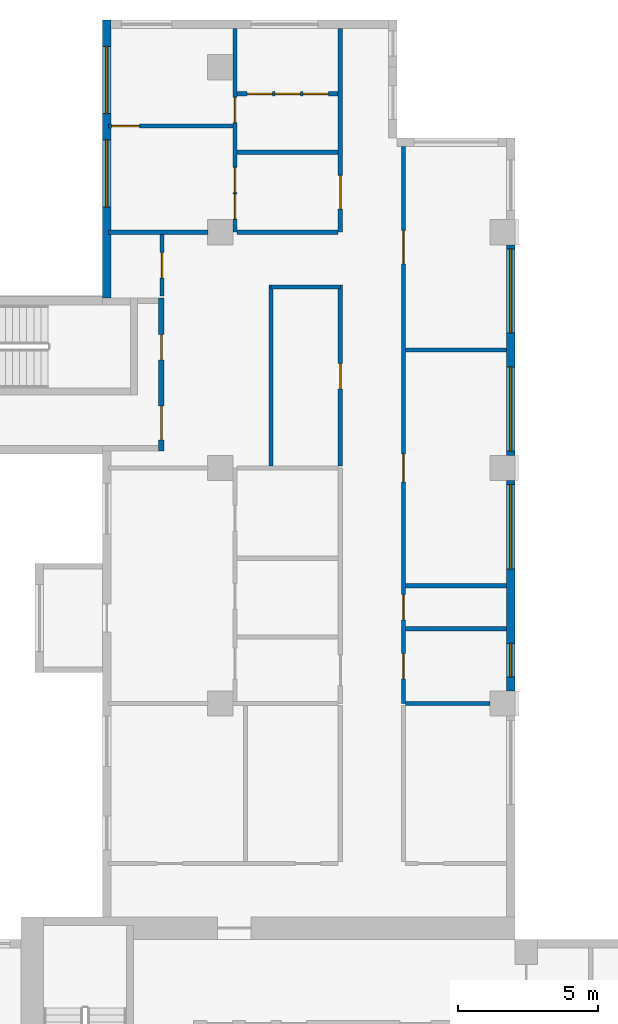
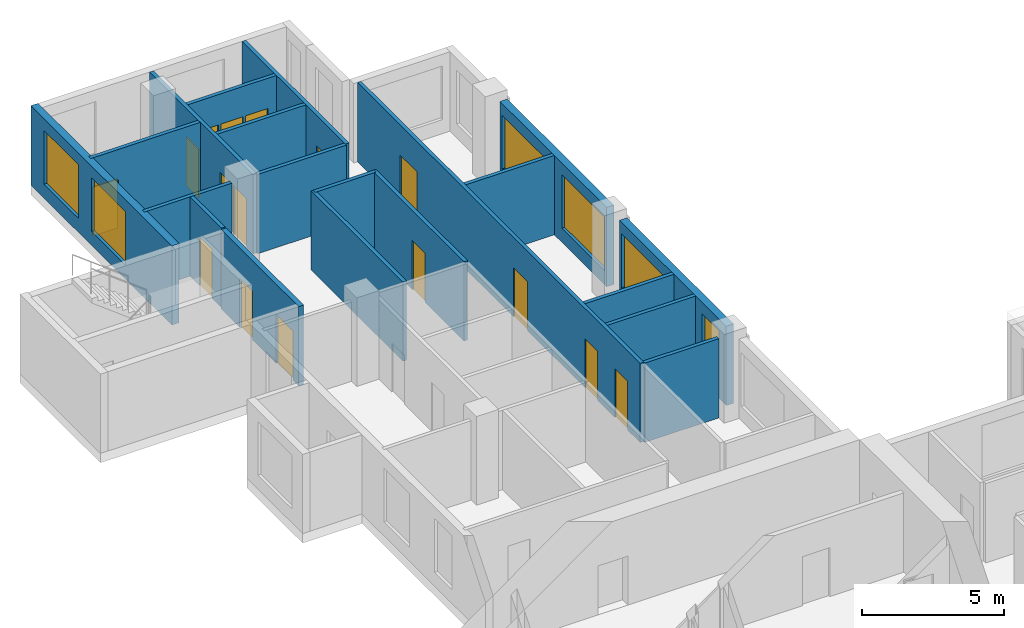
# One storey, part 7 of 12: 20 walls, 16 doors, 6 windows, 22 openings.
"""IFC4 building model written with IfcOpenShell, lengths in metres."""

from ifc_helpers import new_model, si_unit, direction, frame, frame_2d, origin, place, context, subcontext, project, spatial, rectangle, extrude, source, transform, mapped, material, layer, layer_set, type_object, element, fill, save


model = new_model("IFC4")

# Units and contexts
model_context = context("Model", 3, precision=1e-05, world=origin(), true_north=direction((0.0, 1.0)))
body_context = subcontext(model_context, "Body", "Model", "MODEL_VIEW")
ifc_project = project(units=[si_unit("LENGTHUNIT", "METRE"), si_unit("AREAUNIT", "SQUARE_METRE"), si_unit("VOLUMEUNIT", "CUBIC_METRE"), si_unit("PLANEANGLEUNIT", "RADIAN"), si_unit("MASSUNIT", "GRAM", prefix="KILO")], contexts=[model_context])

# Site, building, storey
site_placement = place(None, origin())
site = spatial("IfcSite", under=ifc_project, at=site_placement, CompositionType="ELEMENT")
building_placement = place(site_placement, origin())
building = spatial("IfcBuilding", under=site, at=building_placement, Name="Aurelian Terraces", CompositionType="ELEMENT")
storey_placement = place(building_placement, frame((0.0, 0.0, 196.8)))
storey = spatial("IfcBuildingStorey", under=building, at=storey_placement, Name="L43", CompositionType="ELEMENT", Elevation=196.8)

# Wall, openings, windows
ifc_material_1 = material(Name="Terracotta rainscreen cladding", Category="masonry")
ifc_layer_1 = layer(ifc_material_1, 0.3)
ifc_layer_set_1 = layer_set([ifc_layer_1], Name="EW-300")
wall_type_1 = type_object("IfcWallType", Name="EW-300", PredefinedType="STANDARD", material=ifc_layer_set_1)
shared_shape_1 = source(origin(), body_context, "Body", "SweptSolid", [
    extrude(rectangle(XDim=7.5, YDim=0.3, at=frame_2d((3.75, 0.0))), origin(), (0.0, 0.0, 1.0), 3.4),
])
wall_1_placement = place(storey_placement, frame((20.85, 29.85, 0.0), z_axis=(0.0, 0.0, 1.0), x_axis=(0.0, 1.0, 0.0)))
wall_1 = element("IfcWall", 1, at=wall_1_placement, inside=storey, type_object=wall_type_1, Name="External wall L43 F08.19", PredefinedType="STANDARD", context=body_context, shape_type="MappedRepresentation", body=[
    mapped(shared_shape_1, transform((0.0, 0.0, 0.0), scale=1.0)),
])
shared_shape_2 = source(origin(), body_context, "Body", "SweptSolid", [
    extrude(rectangle(XDim=1.2, YDim=2.3, at=frame_2d((0.6, 1.15))), frame((0.0, 0.16, 0.0), z_axis=(0.0, -1.0, 0.0), x_axis=(1.0, 0.0, 0.0)), (0.0, 0.0, 1.0), 0.32),
])
opening_1_placement = place(wall_1_placement, frame((0.496, 0.0, 0.6)))
opening_1 = element("IfcOpeningElement", 2, at=opening_1_placement, cuts=wall_1, Name="Opening W1223", PredefinedType="OPENING", context=body_context, shape_type="MappedRepresentation", body=[
    mapped(shared_shape_2, transform((0.0, 0.0, 0.0), scale=1.0)),
])
shared_shape_3 = source(origin(), body_context, "Body", "SweptSolid", [
    extrude(rectangle(XDim=3.0, YDim=2.3, at=frame_2d((1.5, 1.15))), frame((0.0, 0.16, 0.0), z_axis=(0.0, -1.0, 0.0), x_axis=(1.0, 0.0, 0.0)), (0.0, 0.0, 1.0), 0.32),
])
opening_2_placement = place(wall_1_placement, frame((4.35, 0.0, 0.6)))
opening_2 = element("IfcOpeningElement", 3, at=opening_2_placement, cuts=wall_1, Name="Opening W3023", PredefinedType="OPENING", context=body_context, shape_type="MappedRepresentation", body=[
    mapped(shared_shape_3, transform((0.0, 0.0, 0.0), scale=1.0)),
])
ifc_material_2 = material(Name="Clear glazing", Category="glass")
window_type_1 = type_object("IfcWindowType", Name="W-3000x2300", PartitioningType="SINGLE_PANEL", PredefinedType="WINDOW", material=ifc_material_2)
shared_shape_4 = source(origin(), body_context, "Body", "SweptSolid", [
    extrude(rectangle(XDim=3.0, YDim=2.3, at=frame_2d((1.5, 1.15))), frame((0.0, 0.03, 0.0), z_axis=(0.0, -1.0, 0.0), x_axis=(1.0, 0.0, 0.0)), (0.0, 0.0, 1.0), 0.06),
])
window_1_placement = place(opening_2_placement, origin())
window_1 = element("IfcWindow", 4, at=window_1_placement, inside=storey, type_object=window_type_1, Name="Window L43 L43-F08-19-1", OverallHeight=2.3, OverallWidth=3.0, PartitioningType="SINGLE_PANEL", PredefinedType="WINDOW", context=body_context, shape_type="MappedRepresentation", body=[
    mapped(shared_shape_4, transform((0.0, 0.0, 0.0), scale=1.0)),
])
fill(opening_2, window_1)
window_type_2 = type_object("IfcWindowType", Name="W-1200x2300", PartitioningType="SINGLE_PANEL", PredefinedType="WINDOW", material=ifc_material_2)
shared_shape_5 = source(origin(), body_context, "Body", "SweptSolid", [
    extrude(rectangle(XDim=1.2, YDim=2.3, at=frame_2d((0.6, 1.15))), frame((0.0, 0.03, 0.0), z_axis=(0.0, -1.0, 0.0), x_axis=(1.0, 0.0, 0.0)), (0.0, 0.0, 1.0), 0.06),
])
window_2_placement = place(opening_1_placement, origin())
window_2 = element("IfcWindow", 5, at=window_2_placement, inside=storey, type_object=window_type_2, Name="Window L43 L43-F08-19-0", OverallHeight=2.3, OverallWidth=1.2, PartitioningType="SINGLE_PANEL", PredefinedType="WINDOW", context=body_context, shape_type="MappedRepresentation", body=[
    mapped(shared_shape_5, transform((0.0, 0.0, 0.0), scale=1.0)),
])
fill(opening_1, window_2)

wall_2_placement = place(storey_placement, frame((20.85, 38.25, 0.0), z_axis=(0.0, 0.0, 1.0), x_axis=(0.0, 1.0, 0.0)))
wall_2 = element("IfcWall", 6, at=wall_2_placement, inside=storey, type_object=wall_type_1, Name="External wall L43 F08.20", PredefinedType="STANDARD", context=body_context, shape_type="MappedRepresentation", body=[
    mapped(shared_shape_1, transform((0.0, 0.0, 0.0), scale=1.0)),
])
opening_3_placement = place(wall_2_placement, frame((0.15, 0.0, 0.6)))
opening_3 = element("IfcOpeningElement", 7, at=opening_3_placement, cuts=wall_2, Name="Opening W3023", PredefinedType="OPENING", context=body_context, shape_type="MappedRepresentation", body=[
    mapped(shared_shape_3, transform((0.0, 0.0, 0.0), scale=1.0)),
])
opening_4_placement = place(wall_2_placement, frame((4.35, 0.0, 0.6)))
opening_4 = element("IfcOpeningElement", 8, at=opening_4_placement, cuts=wall_2, Name="Opening W3023", PredefinedType="OPENING", context=body_context, shape_type="MappedRepresentation", body=[
    mapped(shared_shape_3, transform((0.0, 0.0, 0.0), scale=1.0)),
])
window_3_placement = place(opening_3_placement, origin())
window_3 = element("IfcWindow", 9, at=window_3_placement, inside=storey, type_object=window_type_1, Name="Window L43 L43-F08-20-0", OverallHeight=2.3, OverallWidth=3.0, PartitioningType="SINGLE_PANEL", PredefinedType="WINDOW", context=body_context, shape_type="MappedRepresentation", body=[
    mapped(shared_shape_4, transform((0.0, 0.0, 0.0), scale=1.0)),
])
fill(opening_3, window_3)
window_4_placement = place(opening_4_placement, origin())
window_4 = element("IfcWindow", 10, at=window_4_placement, inside=storey, type_object=window_type_1, Name="Window L43 L43-F08-20-1", OverallHeight=2.3, OverallWidth=3.0, PartitioningType="SINGLE_PANEL", PredefinedType="WINDOW", context=body_context, shape_type="MappedRepresentation", body=[
    mapped(shared_shape_4, transform((0.0, 0.0, 0.0), scale=1.0)),
])
fill(opening_4, window_4)

shared_shape_6 = source(origin(), body_context, "Body", "SweptSolid", [
    extrude(rectangle(XDim=9.91, YDim=0.3, at=frame_2d((4.955, 0.0))), origin(), (0.0, 0.0, 1.0), 3.4),
])
wall_3_placement = place(storey_placement, frame((6.45, 53.76, 0.0), z_axis=(0.0, 0.0, 1.0), x_axis=(0.0, -1.0, 0.0)))
wall_3 = element("IfcWall", 11, at=wall_3_placement, inside=storey, type_object=wall_type_1, Name="External wall L43 F12.26", PredefinedType="STANDARD", context=body_context, shape_type="MappedRepresentation", body=[
    mapped(shared_shape_6, transform((0.0, 0.0, 0.0), scale=1.0)),
])
shared_shape_7 = source(origin(), body_context, "Body", "SweptSolid", [
    extrude(rectangle(XDim=2.4, YDim=2.3, at=frame_2d((1.2, 1.15))), frame((0.0, 0.16, 0.0), z_axis=(0.0, -1.0, 0.0), x_axis=(1.0, 0.0, 0.0)), (0.0, 0.0, 1.0), 0.32),
])
opening_5_placement = place(wall_3_placement, frame((4.2725, 0.0, 0.6)))
opening_5 = element("IfcOpeningElement", 12, at=opening_5_placement, cuts=wall_3, Name="Opening W2423", PredefinedType="OPENING", context=body_context, shape_type="MappedRepresentation", body=[
    mapped(shared_shape_7, transform((0.0, 0.0, 0.0), scale=1.0)),
])
opening_6_placement = place(wall_3_placement, frame((0.9363, 0.0, 0.6)))
opening_6 = element("IfcOpeningElement", 13, at=opening_6_placement, cuts=wall_3, Name="Opening W2423", PredefinedType="OPENING", context=body_context, shape_type="MappedRepresentation", body=[
    mapped(shared_shape_7, transform((0.0, 0.0, 0.0), scale=1.0)),
])
window_type_3 = type_object("IfcWindowType", Name="W-2400x2300", PartitioningType="SINGLE_PANEL", PredefinedType="WINDOW", material=ifc_material_2)
shared_shape_8 = source(origin(), body_context, "Body", "SweptSolid", [
    extrude(rectangle(XDim=2.4, YDim=2.3, at=frame_2d((1.2, 1.15))), frame((0.0, 0.03, 0.0), z_axis=(0.0, -1.0, 0.0), x_axis=(1.0, 0.0, 0.0)), (0.0, 0.0, 1.0), 0.06),
])
window_5_placement = place(opening_5_placement, origin())
window_5 = element("IfcWindow", 14, at=window_5_placement, inside=storey, type_object=window_type_3, Name="Window L43 L43-F12-26-1", OverallHeight=2.3, OverallWidth=2.4, PartitioningType="SINGLE_PANEL", PredefinedType="WINDOW", context=body_context, shape_type="MappedRepresentation", body=[
    mapped(shared_shape_8, transform((0.0, 0.0, 0.0), scale=1.0)),
])
fill(opening_5, window_5)
window_6_placement = place(opening_6_placement, origin())
window_6 = element("IfcWindow", 15, at=window_6_placement, inside=storey, type_object=window_type_3, Name="Window L43 L43-F12-26-G0-0", OverallHeight=2.3, OverallWidth=2.4, PartitioningType="SINGLE_PANEL", PredefinedType="WINDOW", context=body_context, shape_type="MappedRepresentation", body=[
    mapped(shared_shape_8, transform((0.0, 0.0, 0.0), scale=1.0)),
])
fill(opening_6, window_6)

# Wall, openings, doors
ifc_material_3 = material(Name="Gypsum board on steel studs", Category="steel")
ifc_layer_2 = layer(ifc_material_3, 0.2)
ifc_layer_set_2 = layer_set([ifc_layer_2], Name="Core partition 200")
wall_type_2 = type_object("IfcWallType", Name="Core partition 200", PredefinedType="PARTITIONING", material=ifc_layer_set_2)
shared_shape_9 = source(origin(), body_context, "Body", "SweptSolid", [
    extrude(rectangle(XDim=5.45, YDim=0.2, at=frame_2d((2.725, 0.0))), origin(), (0.0, 0.0, 1.0), 3.4),
])
wall_4_placement = place(storey_placement, frame((8.4, 38.4, 0.0), z_axis=(0.0, 0.0, 1.0), x_axis=(0.0, 1.0, 0.0)))
wall_4 = element("IfcWall", 16, at=wall_4_placement, inside=storey, type_object=wall_type_2, Name="L43 core wall ST-S3-BN", PredefinedType="PARTITIONING", context=body_context, shape_type="MappedRepresentation", body=[
    mapped(shared_shape_9, transform((0.0, 0.0, 0.0), scale=1.0)),
])
shared_shape_10 = source(origin(), body_context, "Body", "SweptSolid", [
    extrude(rectangle(XDim=1.2, YDim=2.1, at=frame_2d((0.6, 1.05))), frame((0.0, 0.11, 0.0), z_axis=(0.0, -1.0, 0.0), x_axis=(1.0, 0.0, 0.0)), (0.0, 0.0, 1.0), 0.22),
])
opening_7_placement = place(wall_4_placement, frame((0.4, 0.0, 0.0)))
opening_7 = element("IfcOpeningElement", 17, at=opening_7_placement, cuts=wall_4, Name="Opening 64621", PredefinedType="OPENING", context=body_context, shape_type="MappedRepresentation", body=[
    mapped(shared_shape_10, transform((0.0, 0.0, 0.0), scale=1.0)),
])
shared_shape_11 = source(origin(), body_context, "Body", "SweptSolid", [
    extrude(rectangle(XDim=0.9, YDim=2.1, at=frame_2d((0.45, 1.05))), frame((0.0, 0.11, 0.0), z_axis=(0.0, -1.0, 0.0), x_axis=(1.0, 0.0, 0.0)), (0.0, 0.0, 1.0), 0.22),
])
opening_8_placement = place(wall_4_placement, frame((3.25, 0.0, 0.0)))
opening_8 = element("IfcOpeningElement", 18, at=opening_8_placement, cuts=wall_4, Name="Opening 64622", PredefinedType="OPENING", context=body_context, shape_type="MappedRepresentation", body=[
    mapped(shared_shape_11, transform((0.0, 0.0, 0.0), scale=1.0)),
])
ifc_material_4 = material(Name="Steel door leaf", Category="steel")
door_type_1 = type_object("IfcDoorType", Name="Core riser door 900x2100", OperationType="SINGLE_SWING_LEFT", PredefinedType="DOOR", material=ifc_material_4)
shared_shape_12 = source(origin(), body_context, "Body", "SweptSolid", [
    extrude(rectangle(XDim=0.9, YDim=2.1, at=frame_2d((0.45, 1.05))), frame((0.0, 0.025, 0.0), z_axis=(0.0, -1.0, 0.0), x_axis=(1.0, 0.0, 0.0)), (0.0, 0.0, 1.0), 0.05),
])
door_1_placement = place(opening_8_placement, origin())
door_1 = element("IfcDoor", 19, at=door_1_placement, inside=storey, type_object=door_type_1, Name="Riser door 64622", OperationType="SINGLE_SWING_LEFT", OverallHeight=2.1, OverallWidth=0.9, PredefinedType="DOOR", context=body_context, shape_type="MappedRepresentation", body=[
    mapped(shared_shape_12, transform((0.0, 0.0, 0.0), scale=1.0)),
])
fill(opening_8, door_1)
door_type_2 = type_object("IfcDoorType", Name="Core fire door 1200x2100 right", OperationType="SINGLE_SWING_RIGHT", PredefinedType="DOOR", material=ifc_material_4)
shared_shape_13 = source(origin(), body_context, "Body", "SweptSolid", [
    extrude(rectangle(XDim=1.2, YDim=2.1, at=frame_2d((0.6, 1.05))), frame((0.0, 0.025, 0.0), z_axis=(0.0, -1.0, 0.0), x_axis=(1.0, 0.0, 0.0)), (0.0, 0.0, 1.0), 0.05),
])
door_2_placement = place(opening_7_placement, origin())
door_2 = element("IfcDoor", 20, at=door_2_placement, inside=storey, type_object=door_type_2, Name="Vestibule door 64621", OperationType="SINGLE_SWING_RIGHT", OverallHeight=2.1, OverallWidth=1.2, PredefinedType="DOOR", context=body_context, shape_type="MappedRepresentation", body=[
    mapped(shared_shape_13, transform((0.0, 0.0, 0.0), scale=1.0)),
])
fill(opening_7, door_2)

# Wall
ifc_layer_3 = layer(ifc_material_3, 0.15)
ifc_layer_set_3 = layer_set([ifc_layer_3], Name="Partition 150")
wall_type_3 = type_object("IfcWallType", Name="Partition 150", PredefinedType="PARTITIONING", material=ifc_layer_set_3)
shared_shape_14 = source(origin(), body_context, "Body", "SweptSolid", [
    extrude(rectangle(XDim=6.45, YDim=0.15, at=frame_2d((3.225, 0.0))), origin(), (0.0, 0.0, 1.0), 3.4),
])
wall_5_placement = place(storey_placement, frame((12.3, 44.325, 0.0), z_axis=(0.0, 0.0, 1.0), x_axis=(0.0, -1.0, 0.0)))
element("IfcWall", 21, at=wall_5_placement, inside=storey, type_object=wall_type_3, Name="Partition", PredefinedType="PARTITIONING", context=body_context, shape_type="MappedRepresentation", body=[
    mapped(shared_shape_14, transform((0.0, 0.0, 0.0), scale=1.0)),
])

# Wall, opening, door
ifc_layer_4 = layer(ifc_material_3, 0.15)
ifc_layer_set_4 = layer_set([ifc_layer_4], Name="Fire partition 150")
wall_type_4 = type_object("IfcWallType", Name="Fire partition 150", PredefinedType="PARTITIONING", material=ifc_layer_set_4)
wall_6_placement = place(storey_placement, frame((14.775, 37.875, 0.0), z_axis=(0.0, 0.0, 1.0), x_axis=(0.0, 1.0, 0.0)))
wall_6 = element("IfcWall", 22, at=wall_6_placement, inside=storey, type_object=wall_type_4, Name="Corridor wall", PredefinedType="PARTITIONING", context=body_context, shape_type="MappedRepresentation", body=[
    mapped(shared_shape_14, transform((0.0, 0.0, 0.0), scale=1.0)),
])
shared_shape_15 = source(origin(), body_context, "Body", "SweptSolid", [
    extrude(rectangle(XDim=0.9, YDim=2.1, at=frame_2d((0.45, 1.05))), frame((0.0, 0.085, 0.0), z_axis=(0.0, -1.0, 0.0), x_axis=(1.0, 0.0, 0.0)), (0.0, 0.0, 1.0), 0.17),
])
opening_9_placement = place(wall_6_placement, frame((2.7375, 0.0, 0.0)))
opening_9 = element("IfcOpeningElement", 23, at=opening_9_placement, cuts=wall_6, Name="Opening 743022", PredefinedType="OPENING", context=body_context, shape_type="MappedRepresentation", body=[
    mapped(shared_shape_15, transform((0.0, 0.0, 0.0), scale=1.0)),
])
ifc_material_5 = material(Name="Timber door leaf", Category="wood")
door_type_3 = type_object("IfcDoorType", Name="Room door 900x2100 left", OperationType="SINGLE_SWING_LEFT", PredefinedType="DOOR", material=ifc_material_5)
door_3_placement = place(opening_9_placement, origin())
door_3 = element("IfcDoor", 24, at=door_3_placement, inside=storey, type_object=door_type_3, Name="Door 743022", OperationType="SINGLE_SWING_LEFT", OverallHeight=2.1, OverallWidth=0.9, PredefinedType="DOOR", context=body_context, shape_type="MappedRepresentation", body=[
    mapped(shared_shape_12, transform((0.0, 0.0, 0.0), scale=1.0)),
])
fill(opening_9, door_3)

# Wall
shared_shape_16 = source(origin(), body_context, "Body", "SweptSolid", [
    extrude(rectangle(XDim=3.6, YDim=0.15, at=frame_2d((1.8, 0.0))), origin(), (0.0, 0.0, 1.0), 3.4),
])
wall_7_placement = place(storey_placement, frame((14.7, 49.0491, 0.0), z_axis=(0.0, 0.0, 1.0), x_axis=(-1.0, 0.0, 0.0)))
element("IfcWall", 25, at=wall_7_placement, inside=storey, type_object=wall_type_3, Name="Partition", PredefinedType="PARTITIONING", context=body_context, shape_type="MappedRepresentation", body=[
    mapped(shared_shape_16, transform((0.0, 0.0, 0.0), scale=1.0)),
])

# Wall, openings, doors
wall_8_placement = place(storey_placement, frame((14.7, 51.1297, 0.0), z_axis=(0.0, 0.0, 1.0), x_axis=(-1.0, 0.0, 0.0)))
wall_8 = element("IfcWall", 26, at=wall_8_placement, inside=storey, type_object=wall_type_3, Name="Partition", PredefinedType="PARTITIONING", context=body_context, shape_type="MappedRepresentation", body=[
    mapped(shared_shape_16, transform((0.0, 0.0, 0.0), scale=1.0)),
])
opening_10_placement = place(wall_8_placement, frame((1.35, 0.0, 0.0)))
opening_10 = element("IfcOpeningElement", 27, at=opening_10_placement, cuts=wall_8, Name="Opening 743038", PredefinedType="OPENING", context=body_context, shape_type="MappedRepresentation", body=[
    mapped(shared_shape_15, transform((0.0, 0.0, 0.0), scale=1.0)),
])
opening_11_placement = place(wall_8_placement, frame((0.35, 0.0, 0.0)))
opening_11 = element("IfcOpeningElement", 28, at=opening_11_placement, cuts=wall_8, Name="Opening 743039", PredefinedType="OPENING", context=body_context, shape_type="MappedRepresentation", body=[
    mapped(shared_shape_15, transform((0.0, 0.0, 0.0), scale=1.0)),
])
opening_12_placement = place(wall_8_placement, frame((2.35, 0.0, 0.0)))
opening_12 = element("IfcOpeningElement", 29, at=opening_12_placement, cuts=wall_8, Name="Opening 743040", PredefinedType="OPENING", context=body_context, shape_type="MappedRepresentation", body=[
    mapped(shared_shape_15, transform((0.0, 0.0, 0.0), scale=1.0)),
])
door_4_placement = place(opening_10_placement, origin())
door_4 = element("IfcDoor", 30, at=door_4_placement, inside=storey, type_object=door_type_3, Name="Door 743038", OperationType="SINGLE_SWING_LEFT", OverallHeight=2.1, OverallWidth=0.9, PredefinedType="DOOR", context=body_context, shape_type="MappedRepresentation", body=[
    mapped(shared_shape_12, transform((0.0, 0.0, 0.0), scale=1.0)),
])
fill(opening_10, door_4)
door_type_4 = type_object("IfcDoorType", Name="Entrance fire door 900x2100 left", OperationType="SINGLE_SWING_LEFT", PredefinedType="DOOR", material=ifc_material_4)
door_5_placement = place(opening_11_placement, origin())
door_5 = element("IfcDoor", 31, at=door_5_placement, inside=storey, type_object=door_type_4, Name="Door 743039", OperationType="SINGLE_SWING_LEFT", OverallHeight=2.1, OverallWidth=0.9, PredefinedType="DOOR", context=body_context, shape_type="MappedRepresentation", body=[
    mapped(shared_shape_12, transform((0.0, 0.0, 0.0), scale=1.0)),
])
fill(opening_11, door_5)
door_6_placement = place(opening_12_placement, origin())
door_6 = element("IfcDoor", 32, at=door_6_placement, inside=storey, type_object=door_type_4, Name="Door 743040", OperationType="SINGLE_SWING_LEFT", OverallHeight=2.1, OverallWidth=0.9, PredefinedType="DOOR", context=body_context, shape_type="MappedRepresentation", body=[
    mapped(shared_shape_12, transform((0.0, 0.0, 0.0), scale=1.0)),
])
fill(opening_12, door_6)

# Walls
wall_9_placement = place(storey_placement, frame((14.7, 46.2, 0.0), z_axis=(0.0, 0.0, 1.0), x_axis=(-1.0, 0.0, 0.0)))
element("IfcWall", 33, at=wall_9_placement, inside=storey, type_object=wall_type_4, Name="Party wall", PredefinedType="PARTITIONING", context=body_context, shape_type="MappedRepresentation", body=[
    mapped(shared_shape_16, transform((0.0, 0.0, 0.0), scale=1.0)),
])
wall_10_placement = place(storey_placement, frame((17.1, 32.067, 0.0), z_axis=(0.0, 0.0, 1.0), x_axis=(1.0, 0.0, 0.0)))
element("IfcWall", 34, at=wall_10_placement, inside=storey, type_object=wall_type_3, Name="Partition", PredefinedType="PARTITIONING", context=body_context, shape_type="MappedRepresentation", body=[
    mapped(shared_shape_16, transform((0.0, 0.0, 0.0), scale=1.0)),
])
for number, where, z_axis, x_axis, name in (
    (35, (20.7, 33.6, 0.0), (0.0, 0.0, 1.0), (-1.0, 0.0, 0.0), "Party wall"),
    (36, (20.7, 42.0, 0.0), (0.0, 0.0, 1.0), (-1.0, 0.0, 0.0), "Party wall"),
):
    element("IfcWall", number, at=place(storey_placement, frame(where, z_axis=z_axis, x_axis=x_axis)), inside=storey, type_object=wall_type_4, Name=name, PredefinedType="PARTITIONING", context=body_context, shape_type="MappedRepresentation", body=[
        mapped(shared_shape_16, transform((0.0, 0.0, 0.0), scale=1.0)),
    ])
shared_shape_17 = source(origin(), body_context, "Body", "SweptSolid", [
    extrude(rectangle(XDim=3.001, YDim=0.15, at=frame_2d((1.5005, 0.0))), origin(), (0.0, 0.0, 1.0), 3.4),
])
wall_11_placement = place(storey_placement, frame((20.101, 29.4, 0.0), z_axis=(0.0, 0.0, 1.0), x_axis=(-1.0, 0.0, 0.0)))
element("IfcWall", 37, at=wall_11_placement, inside=storey, type_object=wall_type_3, Name="Partition", PredefinedType="PARTITIONING", context=body_context, shape_type="MappedRepresentation", body=[
    mapped(shared_shape_17, transform((0.0, 0.0, 0.0), scale=1.0)),
])

# Wall, opening, door
shared_shape_18 = source(origin(), body_context, "Body", "SweptSolid", [
    extrude(rectangle(XDim=2.2, YDim=0.15, at=frame_2d((1.1, 0.0))), origin(), (0.0, 0.0, 1.0), 3.4),
])
wall_12_placement = place(storey_placement, frame((8.425, 43.925, 0.0), z_axis=(0.0, 0.0, 1.0), x_axis=(0.0, 1.0, 0.0)))
wall_12 = element("IfcWall", 38, at=wall_12_placement, inside=storey, type_object=wall_type_3, Name="Partition", PredefinedType="PARTITIONING", context=body_context, shape_type="MappedRepresentation", body=[
    mapped(shared_shape_18, transform((0.0, 0.0, 0.0), scale=1.0)),
])
opening_13_placement = place(wall_12_placement, frame((0.65, 0.0, 0.0)))
opening_13 = element("IfcOpeningElement", 39, at=opening_13_placement, cuts=wall_12, Name="Opening 743023", PredefinedType="OPENING", context=body_context, shape_type="MappedRepresentation", body=[
    mapped(shared_shape_15, transform((0.0, 0.0, 0.0), scale=1.0)),
])
door_7_placement = place(opening_13_placement, origin())
door_7 = element("IfcDoor", 40, at=door_7_placement, inside=storey, type_object=door_type_3, Name="Door 743023", OperationType="SINGLE_SWING_LEFT", OverallHeight=2.1, OverallWidth=0.9, PredefinedType="DOOR", context=body_context, shape_type="MappedRepresentation", body=[
    mapped(shared_shape_12, transform((0.0, 0.0, 0.0), scale=1.0)),
])
fill(opening_13, door_7)

# Wall
shared_shape_19 = source(origin(), body_context, "Body", "SweptSolid", [
    extrude(rectangle(XDim=3.546, YDim=0.15, at=frame_2d((1.773, 0.0))), origin(), (0.0, 0.0, 1.0), 3.4),
])
wall_13_placement = place(storey_placement, frame((10.051, 46.2, 0.0), z_axis=(0.0, 0.0, 1.0), x_axis=(-1.0, 0.0, 0.0)))
element("IfcWall", 41, at=wall_13_placement, inside=storey, type_object=wall_type_4, Name="Party wall", PredefinedType="PARTITIONING", context=body_context, shape_type="MappedRepresentation", body=[
    mapped(shared_shape_19, transform((0.0, 0.0, 0.0), scale=1.0)),
])

# Wall, openings, doors
shared_shape_20 = source(origin(), body_context, "Body", "SweptSolid", [
    extrude(rectangle(XDim=7.26, YDim=0.15, at=frame_2d((3.63, 0.0))), origin(), (0.0, 0.0, 1.0), 3.4),
])
wall_14_placement = place(storey_placement, frame((11.025, 46.2, 0.0), z_axis=(0.0, 0.0, 1.0), x_axis=(0.0, 1.0, 0.0)))
wall_14 = element("IfcWall", 42, at=wall_14_placement, inside=storey, type_object=wall_type_3, Name="Partition", PredefinedType="PARTITIONING", context=body_context, shape_type="MappedRepresentation", body=[
    mapped(shared_shape_20, transform((0.0, 0.0, 0.0), scale=1.0)),
])
opening_14_placement = place(wall_14_placement, frame((1.412, 0.0, 0.0)))
opening_14 = element("IfcOpeningElement", 43, at=opening_14_placement, cuts=wall_14, Name="Opening 743029", PredefinedType="OPENING", context=body_context, shape_type="MappedRepresentation", body=[
    mapped(shared_shape_15, transform((0.0, 0.0, 0.0), scale=1.0)),
])
opening_15_placement = place(wall_14_placement, frame((0.46, 0.0, 0.0)))
opening_15 = element("IfcOpeningElement", 44, at=opening_15_placement, cuts=wall_14, Name="Opening 743030", PredefinedType="OPENING", context=body_context, shape_type="MappedRepresentation", body=[
    mapped(shared_shape_15, transform((0.0, 0.0, 0.0), scale=1.0)),
])
opening_16_placement = place(wall_14_placement, frame((3.901, 0.0, 0.0)))
opening_16 = element("IfcOpeningElement", 45, at=opening_16_placement, cuts=wall_14, Name="Opening 743032", PredefinedType="OPENING", context=body_context, shape_type="MappedRepresentation", body=[
    mapped(shared_shape_15, transform((0.0, 0.0, 0.0), scale=1.0)),
])
door_8_placement = place(opening_14_placement, origin())
door_8 = element("IfcDoor", 46, at=door_8_placement, inside=storey, type_object=door_type_3, Name="Door 743029", OperationType="SINGLE_SWING_LEFT", OverallHeight=2.1, OverallWidth=0.9, PredefinedType="DOOR", context=body_context, shape_type="MappedRepresentation", body=[
    mapped(shared_shape_12, transform((0.0, 0.0, 0.0), scale=1.0)),
])
fill(opening_14, door_8)
door_type_5 = type_object("IfcDoorType", Name="Room door 900x2100 right", OperationType="SINGLE_SWING_RIGHT", PredefinedType="DOOR", material=ifc_material_5)
door_9_placement = place(opening_15_placement, origin())
door_9 = element("IfcDoor", 47, at=door_9_placement, inside=storey, type_object=door_type_5, Name="Door 743030", OperationType="SINGLE_SWING_RIGHT", OverallHeight=2.1, OverallWidth=0.9, PredefinedType="DOOR", context=body_context, shape_type="MappedRepresentation", body=[
    mapped(shared_shape_12, transform((0.0, 0.0, 0.0), scale=1.0)),
])
fill(opening_15, door_9)
door_10_placement = place(opening_16_placement, origin())
door_10 = element("IfcDoor", 48, at=door_10_placement, inside=storey, type_object=door_type_5, Name="Door 743032", OperationType="SINGLE_SWING_RIGHT", OverallHeight=2.1, OverallWidth=0.9, PredefinedType="DOOR", context=body_context, shape_type="MappedRepresentation", body=[
    mapped(shared_shape_12, transform((0.0, 0.0, 0.0), scale=1.0)),
])
fill(opening_16, door_10)

# Wall, opening, door
wall_15_placement = place(storey_placement, frame((14.775, 46.2, 0.0), z_axis=(0.0, 0.0, 1.0), x_axis=(0.0, 1.0, 0.0)))
wall_15 = element("IfcWall", 49, at=wall_15_placement, inside=storey, type_object=wall_type_4, Name="Corridor wall", PredefinedType="PARTITIONING", context=body_context, shape_type="MappedRepresentation", body=[
    mapped(shared_shape_20, transform((0.0, 0.0, 0.0), scale=1.0)),
])
shared_shape_21 = source(origin(), body_context, "Body", "SweptSolid", [
    extrude(rectangle(XDim=1.2, YDim=2.1, at=frame_2d((0.6, 1.05))), frame((0.0, 0.085, 0.0), z_axis=(0.0, -1.0, 0.0), x_axis=(1.0, 0.0, 0.0)), (0.0, 0.0, 1.0), 0.17),
])
opening_17_placement = place(wall_15_placement, frame((0.8246, 0.0, 0.0)))
opening_17 = element("IfcOpeningElement", 50, at=opening_17_placement, cuts=wall_15, Name="Opening 743028", PredefinedType="OPENING", context=body_context, shape_type="MappedRepresentation", body=[
    mapped(shared_shape_21, transform((0.0, 0.0, 0.0), scale=1.0)),
])
door_type_6 = type_object("IfcDoorType", Name="Entrance fire door 1200x2100 right", OperationType="SINGLE_SWING_RIGHT", PredefinedType="DOOR", material=ifc_material_4)
door_11_placement = place(opening_17_placement, origin())
door_11 = element("IfcDoor", 51, at=door_11_placement, inside=storey, type_object=door_type_6, Name="Door 743028", OperationType="SINGLE_SWING_RIGHT", OverallHeight=2.1, OverallWidth=1.2, PredefinedType="DOOR", context=body_context, shape_type="MappedRepresentation", body=[
    mapped(shared_shape_13, transform((0.0, 0.0, 0.0), scale=1.0)),
])
fill(opening_17, door_11)

shared_shape_22 = source(origin(), body_context, "Body", "SweptSolid", [
    extrude(rectangle(XDim=4.445, YDim=0.15, at=frame_2d((2.2225, 0.0))), origin(), (0.0, 0.0, 1.0), 3.4),
])
wall_16_placement = place(storey_placement, frame((10.95, 49.98, 0.0), z_axis=(0.0, 0.0, 1.0), x_axis=(-1.0, 0.0, 0.0)))
wall_16 = element("IfcWall", 52, at=wall_16_placement, inside=storey, type_object=wall_type_3, Name="Partition", PredefinedType="PARTITIONING", context=body_context, shape_type="MappedRepresentation", body=[
    mapped(shared_shape_22, transform((0.0, 0.0, 0.0), scale=1.0)),
])
shared_shape_23 = source(origin(), body_context, "Body", "SweptSolid", [
    extrude(rectangle(XDim=1.0, YDim=2.1, at=frame_2d((0.5, 1.05))), frame((0.0, 0.085, 0.0), z_axis=(0.0, -1.0, 0.0), x_axis=(1.0, 0.0, 0.0)), (0.0, 0.0, 1.0), 0.17),
])
opening_18_placement = place(wall_16_placement, frame((3.325, 0.0, 0.0)))
opening_18 = element("IfcOpeningElement", 53, at=opening_18_placement, cuts=wall_16, Name="Opening 743031", PredefinedType="OPENING", context=body_context, shape_type="MappedRepresentation", body=[
    mapped(shared_shape_23, transform((0.0, 0.0, 0.0), scale=1.0)),
])
door_type_7 = type_object("IfcDoorType", Name="Room door 1000x2100 left", OperationType="SINGLE_SWING_LEFT", PredefinedType="DOOR", material=ifc_material_5)
shared_shape_24 = source(origin(), body_context, "Body", "SweptSolid", [
    extrude(rectangle(XDim=1.0, YDim=2.1, at=frame_2d((0.5, 1.05))), frame((0.0, 0.025, 0.0), z_axis=(0.0, -1.0, 0.0), x_axis=(1.0, 0.0, 0.0)), (0.0, 0.0, 1.0), 0.05),
])
door_12_placement = place(opening_18_placement, origin())
door_12 = element("IfcDoor", 54, at=door_12_placement, inside=storey, type_object=door_type_7, Name="Door 743031", OperationType="SINGLE_SWING_LEFT", OverallHeight=2.1, OverallWidth=1.0, PredefinedType="DOOR", context=body_context, shape_type="MappedRepresentation", body=[
    mapped(shared_shape_24, transform((0.0, 0.0, 0.0), scale=1.0)),
])
fill(opening_18, door_12)

# Wall, openings, doors
shared_shape_25 = source(origin(), body_context, "Body", "SweptSolid", [
    extrude(rectangle(XDim=19.86, YDim=0.15, at=frame_2d((9.93, 0.0))), origin(), (0.0, 0.0, 1.0), 3.4),
])
wall_17_placement = place(storey_placement, frame((17.025, 49.26, 0.0), z_axis=(0.0, 0.0, 1.0), x_axis=(0.0, -1.0, 0.0)))
wall_17 = element("IfcWall", 55, at=wall_17_placement, inside=storey, type_object=wall_type_4, Name="Corridor wall", PredefinedType="PARTITIONING", context=body_context, shape_type="MappedRepresentation", body=[
    mapped(shared_shape_25, transform((0.0, 0.0, 0.0), scale=1.0)),
])
opening_19_placement = place(wall_17_placement, frame((18.0765, 0.0, 0.0)))
opening_19 = element("IfcOpeningElement", 56, at=opening_19_placement, cuts=wall_17, Name="Opening 743033", PredefinedType="OPENING", context=body_context, shape_type="MappedRepresentation", body=[
    mapped(shared_shape_15, transform((0.0, 0.0, 0.0), scale=1.0)),
])
opening_20_placement = place(wall_17_placement, frame((15.9765, 0.0, 0.0)))
opening_20 = element("IfcOpeningElement", 57, at=opening_20_placement, cuts=wall_17, Name="Opening 743034", PredefinedType="OPENING", context=body_context, shape_type="MappedRepresentation", body=[
    mapped(shared_shape_15, transform((0.0, 0.0, 0.0), scale=1.0)),
])
opening_21_placement = place(wall_17_placement, frame((10.96, 0.0, 0.0)))
opening_21 = element("IfcOpeningElement", 58, at=opening_21_placement, cuts=wall_17, Name="Opening 743035", PredefinedType="OPENING", context=body_context, shape_type="MappedRepresentation", body=[
    mapped(shared_shape_23, transform((0.0, 0.0, 0.0), scale=1.0)),
])
opening_22_placement = place(wall_17_placement, frame((2.9925, 0.0, 0.0)))
opening_22 = element("IfcOpeningElement", 59, at=opening_22_placement, cuts=wall_17, Name="Opening 743036", PredefinedType="OPENING", context=body_context, shape_type="MappedRepresentation", body=[
    mapped(shared_shape_21, transform((0.0, 0.0, 0.0), scale=1.0)),
])
door_type_8 = type_object("IfcDoorType", Name="Entrance fire door 1000x2100 right", OperationType="SINGLE_SWING_RIGHT", PredefinedType="DOOR", material=ifc_material_4)
door_13_placement = place(opening_21_placement, origin())
door_13 = element("IfcDoor", 60, at=door_13_placement, inside=storey, type_object=door_type_8, Name="Door 743035", OperationType="SINGLE_SWING_RIGHT", OverallHeight=2.1, OverallWidth=1.0, PredefinedType="DOOR", context=body_context, shape_type="MappedRepresentation", body=[
    mapped(shared_shape_24, transform((0.0, 0.0, 0.0), scale=1.0)),
])
fill(opening_21, door_13)
door_type_9 = type_object("IfcDoorType", Name="Entrance fire door 900x2100 right", OperationType="SINGLE_SWING_RIGHT", PredefinedType="DOOR", material=ifc_material_4)
door_14_placement = place(opening_19_placement, origin())
door_14 = element("IfcDoor", 61, at=door_14_placement, inside=storey, type_object=door_type_9, Name="Door 743033", OperationType="SINGLE_SWING_RIGHT", OverallHeight=2.1, OverallWidth=0.9, PredefinedType="DOOR", context=body_context, shape_type="MappedRepresentation", body=[
    mapped(shared_shape_12, transform((0.0, 0.0, 0.0), scale=1.0)),
])
fill(opening_19, door_14)
door_15_placement = place(opening_20_placement, origin())
door_15 = element("IfcDoor", 62, at=door_15_placement, inside=storey, type_object=door_type_4, Name="Door 743034", OperationType="SINGLE_SWING_LEFT", OverallHeight=2.1, OverallWidth=0.9, PredefinedType="DOOR", context=body_context, shape_type="MappedRepresentation", body=[
    mapped(shared_shape_12, transform((0.0, 0.0, 0.0), scale=1.0)),
])
fill(opening_20, door_15)
door_16_placement = place(opening_22_placement, origin())
door_16 = element("IfcDoor", 63, at=door_16_placement, inside=storey, type_object=door_type_6, Name="Door 743036", OperationType="SINGLE_SWING_RIGHT", OverallHeight=2.1, OverallWidth=1.2, PredefinedType="DOOR", context=body_context, shape_type="MappedRepresentation", body=[
    mapped(shared_shape_13, transform((0.0, 0.0, 0.0), scale=1.0)),
])
fill(opening_22, door_16)

# Wall
shared_shape_26 = source(origin(), body_context, "Body", "SweptSolid", [
    extrude(rectangle(XDim=2.475, YDim=0.15, at=frame_2d((1.2375, 0.0))), origin(), (0.0, 0.0, 1.0), 3.4),
])
wall_18_placement = place(storey_placement, frame((14.775, 44.25, 0.0), z_axis=(0.0, 0.0, 1.0), x_axis=(-1.0, 0.0, 0.0)))
element("IfcWall", 64, at=wall_18_placement, inside=storey, type_object=wall_type_3, Name="Partition", PredefinedType="PARTITIONING", context=body_context, shape_type="MappedRepresentation", body=[
    mapped(shared_shape_26, transform((0.0, 0.0, 0.0), scale=1.0)),
])

save(model, "model.ifc")
